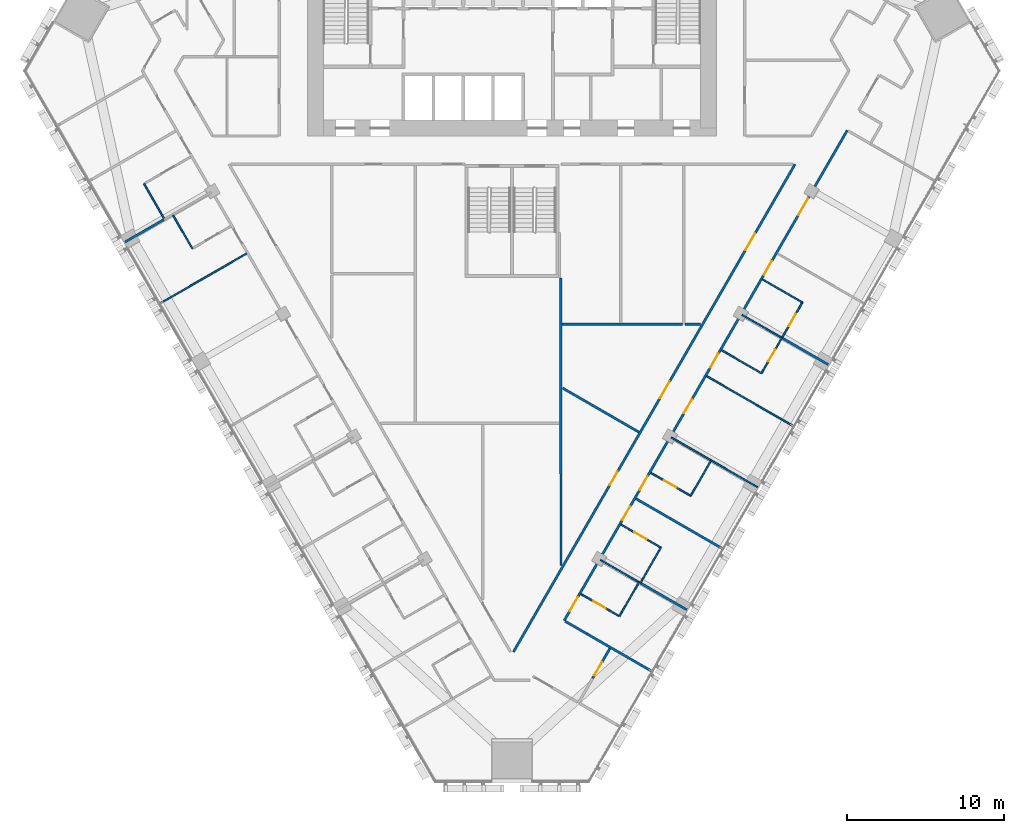
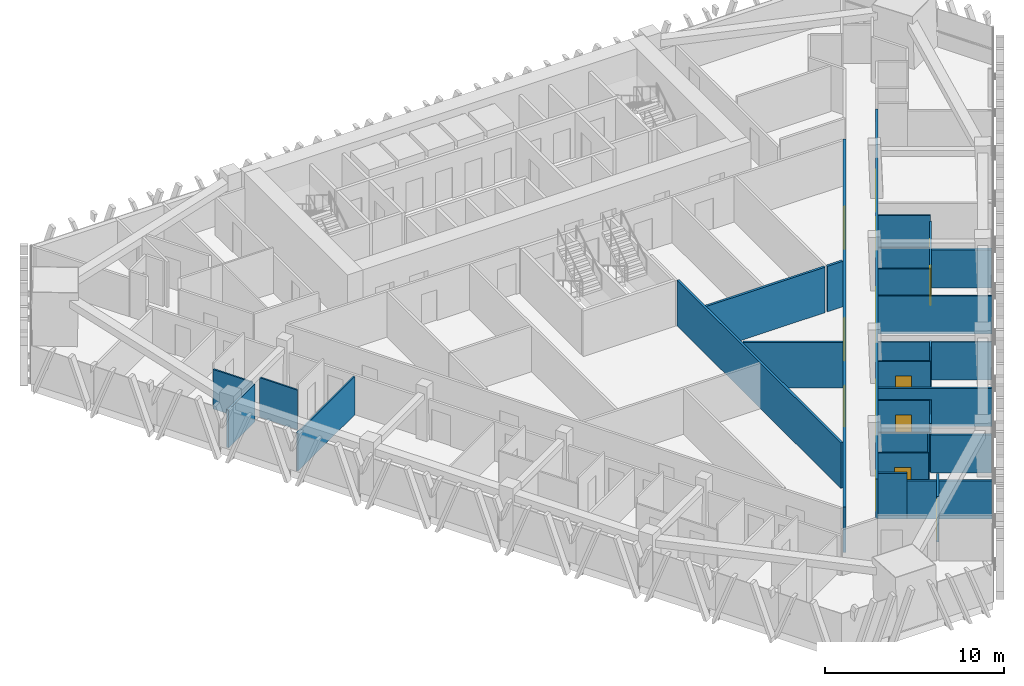
# One storey, part 11 of 18: 30 walls, 16 doors, 16 openings.
"""IFC4 building model written with IfcOpenShell, lengths in metres."""

import ifcopenshell
import ifcopenshell.guid

model = None  # the IFC model being written
_history = None  # IfcOwnerHistory: only IFC2X3 demands one
_inside = {}  # id of a spatial element -> (the spatial element, [elements in it])
_under = {}  # id of a project, library or spatial element -> (it, [spatial elements below it])
_declared = {}  # id of a project -> (the project, [libraries it declares])
_typed = {}  # id of a type object -> (the type object, [elements of that type])
_made_of = {}  # id of a material, layer set ... -> (it, [elements and type objects made of it])


def new_model(schema):
    """Start an empty IFC model of exactly this schema.

    Asked for "IFC4X3", IfcOpenShell would pick the latest addendum, in which some entities
    have other attributes; the version numbers below select the first issue.
    IFC2X3 requires an IfcOwnerHistory on every rooted entity: one is made here for all.
    """
    global model, _history
    if schema == "IFC4X3":
        model = ifcopenshell.file(schema_version=(4, 3, 0, 0))
    else:
        model = ifcopenshell.file(schema=schema)
    _inside.clear()
    _under.clear()
    _declared.clear()
    _typed.clear()
    _made_of.clear()
    _history = None
    if model.schema == "IFC2X3":
        org = make("IfcOrganization", Name="unknown")
        user = make(
            "IfcPersonAndOrganization",
            ThePerson=make("IfcPerson", FamilyName="unknown"),
            TheOrganization=org,
        )
        app = make(
            "IfcApplication",
            ApplicationDeveloper=org,
            Version="unknown",
            ApplicationFullName="unknown",
            ApplicationIdentifier="unknown",
        )
        _history = make(
            "IfcOwnerHistory",
            OwningUser=user,
            OwningApplication=app,
            ChangeAction="ADDED",
            CreationDate=0,
        )
    return model


def make(cls, **values):
    """One entity of the class cls with the attributes given. An attribute that is None is left unset."""
    return model.create_entity(
        cls, **{name: value for name, value in values.items() if value is not None}
    )


def rooted(cls, **values):
    """An entity with a GlobalId (a new one), such as an element, a storey or a relation."""
    return make(cls, GlobalId=ifcopenshell.guid.new(), OwnerHistory=_history, **values)


def si_unit(unit_type, name, prefix=None):
    """IfcSIUnit, for example si_unit("LENGTHUNIT", "METRE", prefix="MILLI")."""
    return make("IfcSIUnit", UnitType=unit_type, Prefix=prefix, Name=name)


def assignment(units):
    """IfcUnitAssignment: the units of a project."""
    return None if units is None else make("IfcUnitAssignment", Units=units)


def point(xyz):
    """IfcCartesianPoint."""
    return None if xyz is None else make("IfcCartesianPoint", Coordinates=xyz)


def direction(xyz):
    """IfcDirection."""
    return None if xyz is None else make("IfcDirection", DirectionRatios=xyz)


def frame(location, z_axis=None, x_axis=None):
    """IfcAxis2Placement3D, a coordinate frame: its origin and axes. An axis left out is left unset."""
    return make(
        "IfcAxis2Placement3D",
        Location=point(location),
        Axis=direction(z_axis),
        RefDirection=direction(x_axis),
    )


def frame_2d(location, x_axis=None):
    """IfcAxis2Placement2D, a coordinate frame in the plane: its origin and x axis."""
    return make(
        "IfcAxis2Placement2D", Location=point(location), RefDirection=direction(x_axis)
    )


def origin():
    """The frame at (0, 0, 0) with its axes left unset."""
    return frame((0.0, 0.0, 0.0))


def place(relative_to, where):
    """IfcLocalPlacement: puts the frame where relative to a parent placement (None: the world)."""
    return make(
        "IfcLocalPlacement", PlacementRelTo=relative_to, RelativePlacement=where
    )


def context(
    kind, dimensions, precision=None, world=None, true_north=None, identifier=None
):
    """IfcGeometricRepresentationContext, for example the 3D "Model" context."""
    return make(
        "IfcGeometricRepresentationContext",
        ContextIdentifier=identifier,
        ContextType=kind,
        CoordinateSpaceDimension=dimensions,
        Precision=precision,
        WorldCoordinateSystem=world,
        TrueNorth=true_north,
    )


def subcontext(parent, identifier, kind, view, scale=None):
    """IfcGeometricRepresentationSubContext, for example "Body" below "Model"."""
    return make(
        "IfcGeometricRepresentationSubContext",
        ContextIdentifier=identifier,
        ContextType=kind,
        ParentContext=parent,
        TargetScale=scale,
        TargetView=view,
    )


def project(units=None, contexts=None):
    """IfcProject with its units and contexts."""
    return rooted(
        "IfcProject",
        Name="project",
        RepresentationContexts=contexts,
        UnitsInContext=assignment(units),
    )


def spatial(cls, under=None, at=None, **own):
    """A site, building, storey or space (cls), placed at a placement, below another one or the project."""
    s = rooted(cls, ObjectPlacement=at, **own)
    if under is not None:
        _under.setdefault(under.id(), (under, []))[1].append(s)
    return s


def profile(cls, at=None, kind="AREA", **sizes):
    """A parametric profile (cls). Its sizes go by their IFC names, for example OverallWidth=200.0."""
    return make(cls, ProfileType=kind, Position=at, **sizes)


def rectangle(**sizes):
    """IfcRectangleProfileDef."""
    return profile("IfcRectangleProfileDef", **sizes)


def extrude(swept, where, along, depth):
    """IfcExtrudedAreaSolid: the profile swept, set in the frame where, extruded along a direction by depth."""
    return make(
        "IfcExtrudedAreaSolid",
        SweptArea=swept,
        Position=where,
        ExtrudedDirection=direction(along),
        Depth=depth,
    )


def shape(context_of_items, identifier, shape_type, items):
    """IfcShapeRepresentation: the items that make up one representation, for example the "Body"."""
    return make(
        "IfcShapeRepresentation",
        ContextOfItems=context_of_items,
        RepresentationIdentifier=identifier,
        RepresentationType=shape_type,
        Items=items,
    )


def material(Name=None, Category=None):
    """IfcMaterial."""
    return make("IfcMaterial", Name=Name, Category=Category)


def layer(
    of_material, thickness, ventilated=None, Name=None, Category=None, Priority=None
):
    """IfcMaterialLayer: one layer of a wall or slab, of a material (None: an air gap)."""
    return make(
        "IfcMaterialLayer",
        Material=of_material,
        LayerThickness=thickness,
        IsVentilated=ventilated,
        Name=Name,
        Category=Category,
        Priority=Priority,
    )


def layer_set(layers, Name=None):
    """IfcMaterialLayerSet."""
    return make("IfcMaterialLayerSet", MaterialLayers=layers, LayerSetName=Name)


def made_of(thing, what):
    """Note that an element or type object is made of a material, layer set ...; save() writes the relation."""
    if what is not None:
        _made_of.setdefault(what.id(), (what, []))[1].append(thing)
    return thing


def type_object(cls, material=None, **own):
    """A type object (cls), such as IfcWallType, which elements share."""
    return made_of(rooted(cls, **own), material)


def element(
    cls,
    number,
    at=None,
    inside=None,
    cuts=None,
    type_object=None,
    material=None,
    context=None,
    identifier="Body",
    shape_type=None,
    held_by="IfcProductDefinitionShape",
    body=None,
    shapes=None,
    **own,
):
    """One element of the class cls, such as IfcWall. Its Tag is "e" and its number.

    at: its placement. inside: the storey or other place that contains it. cuts: it is an
    opening in that element (IfcRelVoidsElement). A single representation is given by context,
    identifier, shape_type and body (its items); several are given by shapes. held_by: the class
    of the entity that holds the representations. save() writes the other relations.
    """
    e = rooted(cls, Tag="e%d" % number, ObjectPlacement=at, **own)
    if body is not None:
        shapes = [shape(context, identifier, shape_type, body)]
    if shapes is not None:
        e.Representation = make(held_by, Representations=shapes)
    if inside is not None:
        _inside.setdefault(inside.id(), (inside, []))[1].append(e)
    if cuts is not None:
        rooted(
            "IfcRelVoidsElement", RelatingBuildingElement=cuts, RelatedOpeningElement=e
        )
    if type_object is not None:
        _typed.setdefault(type_object.id(), (type_object, []))[1].append(e)
    return made_of(e, material)


def fill(opening, filler):
    """IfcRelFillsElement: the door or window that sits in an opening."""
    return rooted(
        "IfcRelFillsElement",
        RelatingOpeningElement=opening,
        RelatedBuildingElement=filler,
    )


def aggregate(whole, parts):
    """IfcRelAggregates: a whole, such as a stair, and the parts it consists of."""
    return rooted("IfcRelAggregates", RelatingObject=whole, RelatedObjects=parts)


def save(model, path):
    """Write the relations noted so far, then the file.

    IfcRelAggregates (storeys below a building ...), IfcRelContainedInSpatialStructure (elements
    in a storey), IfcRelDefinesByType, IfcRelAssociatesMaterial and IfcRelDeclares: one each for
    every whole, place, type object, material and project.
    """
    for whole, parts in _under.values():
        aggregate(whole, parts)
    for where, things in _inside.values():
        rooted(
            "IfcRelContainedInSpatialStructure",
            RelatedElements=things,
            RelatingStructure=where,
        )
    for kind, things in _typed.values():
        rooted("IfcRelDefinesByType", RelatedObjects=things, RelatingType=kind)
    for what, things in _made_of.values():
        rooted("IfcRelAssociatesMaterial", RelatedObjects=things, RelatingMaterial=what)
    for by, libraries in _declared.values():
        rooted("IfcRelDeclares", RelatingContext=by, RelatedDefinitions=libraries)
    model.write(path)


model = new_model("IFC4")

# Units and contexts
model_context = context("Model", 3, precision=1e-05, world=origin(), true_north=direction((0.0, 1.0)))
body_context = subcontext(model_context, "Body", "Model", "MODEL_VIEW")
ifc_project = project(units=[si_unit("LENGTHUNIT", "METRE"), si_unit("AREAUNIT", "SQUARE_METRE"), si_unit("VOLUMEUNIT", "CUBIC_METRE"), si_unit("PLANEANGLEUNIT", "RADIAN"), si_unit("MASSUNIT", "GRAM", prefix="KILO")], contexts=[model_context])

# Site, building, storey
site_placement = place(None, origin())
site = spatial("IfcSite", under=ifc_project, at=site_placement, CompositionType="ELEMENT")
building_placement = place(site_placement, origin())
building = spatial("IfcBuilding", under=site, at=building_placement, Name="Altiplano Prism Tower", CompositionType="ELEMENT")
storey_placement = place(building_placement, frame((0.0, 0.0, 37.800048828125)))
storey = spatial("IfcBuildingStorey", under=building, at=storey_placement, Name="L08", CompositionType="ELEMENT", Elevation=37.800048828125)

# Walls
ifc_material_1 = material(Name="Plasterboard on steel stud", Category="steel")
ifc_layer_1 = layer(ifc_material_1, 0.10009765625)
ifc_layer_set_1 = layer_set([ifc_layer_1], Name="Plasterboard on steel stud")
wall_type_1 = type_object("IfcWallType", Name="Partition 100 unit", PredefinedType="PARTITIONING", material=ifc_layer_set_1)
wall_1_placement = place(storey_placement, frame((62.864013671875, 87.171875, 0.0), z_axis=(0.0, 0.0, 1.0), x_axis=(-0.499976333282, 0.866039067339, 0.0)))
element("IfcWall", 1, at=wall_1_placement, inside=storey, type_object=wall_type_1, Name="Partition P02 L08 052", PredefinedType="PARTITIONING", context=body_context, shape_type="SweptSolid", body=[
    extrude(rectangle(XDim=2.52490234375, YDim=0.10009765625, at=frame_2d((1.262451171875, 0.0))), origin(), (0.0, 0.0, 1.0), 2.699951171875),
])
wall_2_placement = place(storey_placement, frame((64.671142578125, 85.241943359375, 0.0), z_axis=(0.0, 0.0, 1.0), x_axis=(-0.500018594424, 0.866014668023, 0.0)))
element("IfcWall", 2, at=wall_2_placement, inside=storey, type_object=wall_type_1, Name="Partition P02 L08 057", PredefinedType="PARTITIONING", context=body_context, shape_type="SweptSolid", body=[
    extrude(rectangle(XDim=2.4501953125, YDim=0.10009765625, at=frame_2d((1.22509765625, 0.0))), origin(), (0.0, 0.0, 1.0), 2.699951171875),
])
wall_3_placement = place(storey_placement, frame((93.078857421875, 64.0244140625, 0.0), z_axis=(0.0, 0.0, 1.0), x_axis=(-0.499961950354, -0.866047370643, 0.0)))
element("IfcWall", 3, at=wall_3_placement, inside=storey, type_object=wall_type_1, Name="Partition P02 L08 081", PredefinedType="PARTITIONING", context=body_context, shape_type="SweptSolid", body=[
    extrude(rectangle(XDim=2.500244140625, YDim=0.10009765625, at=frame_2d((1.25, 0.0))), origin(), (0.0, 0.0, 1.0), 2.699951171875),
])

# Wall, opening, door
wall_4_placement = place(storey_placement, frame((91.828857421875, 61.859130859375, 0.0), z_axis=(0.0, 0.0, 1.0), x_axis=(-0.866011447264, 0.500024172624, 0.0)))
wall_4 = element("IfcWall", 4, at=wall_4_placement, inside=storey, type_object=wall_type_1, Name="Partition P02 L08 082", PredefinedType="PARTITIONING", context=body_context, shape_type="SweptSolid", body=[
    extrude(rectangle(XDim=2.824951171875, YDim=0.10009765625, at=frame_2d((1.41259765625, 0.0))), origin(), (0.0, 0.0, 1.0), 3.099853515625),
])
opening_1_placement = place(wall_4_placement, frame((1.0, 0.0, 0.0)))
opening_1 = element("IfcOpeningElement", 5, at=opening_1_placement, cuts=wall_4, Name="Opening D0297", PredefinedType="OPENING", context=body_context, shape_type="SweptSolid", body=[
    extrude(rectangle(XDim=0.89990234375, YDim=2.10009765625, at=frame_2d((0.449951171875, 1.050048828125))), frame((0.0, 0.060546875, 0.0), z_axis=(0.0, -1.0, 0.0), x_axis=(1.0, 0.0, 0.0)), (0.0, 0.0, 1.0), 0.12109375),
])
ifc_material_2 = material(Name="Timber", Category="wood")
door_type_1 = type_object("IfcDoorType", Name="Ensuite door 900 x 2100", OperationType="NOTDEFINED", PredefinedType="NOTDEFINED", material=ifc_material_2)
door_1_placement = place(opening_1_placement, origin())
door_1 = element("IfcDoor", 6, at=door_1_placement, inside=storey, type_object=door_type_1, Name="Door D0297", OperationType="SINGLE_SWING_LEFT", OverallHeight=2.10009765625, OverallWidth=0.89990234375, PredefinedType="NOTDEFINED", context=body_context, shape_type="SweptSolid", body=[
    extrude(rectangle(XDim=0.89990234375, YDim=2.10009765625, at=frame_2d((0.449951171875, 1.050048828125))), frame((0.0, 0.02490234375, 0.0), z_axis=(0.0, -1.0, 0.0), x_axis=(1.0, 0.0, 0.0)), (0.0, 0.0, 1.0), 0.050048828125),
])
fill(opening_1, door_1)

wall_5_placement = place(storey_placement, frame((91.932373046875, 67.6884765625, 0.0), z_axis=(0.0, 0.0, 1.0), x_axis=(0.866046596414, -0.499963291492, 0.0)))
wall_5 = element("IfcWall", 7, at=wall_5_placement, inside=storey, type_object=wall_type_1, Name="Partition P02 L08 085", PredefinedType="PARTITIONING", context=body_context, shape_type="SweptSolid", body=[
    extrude(rectangle(XDim=2.925048828125, YDim=0.10009765625, at=frame_2d((1.46240234375, 0.0))), origin(), (0.0, 0.0, 1.0), 3.099853515625),
])
opening_2_placement = place(wall_5_placement, frame((0.97509765625, 0.0, 0.0)))
opening_2 = element("IfcOpeningElement", 8, at=opening_2_placement, cuts=wall_5, Name="Opening D0299", PredefinedType="OPENING", context=body_context, shape_type="SweptSolid", body=[
    extrude(rectangle(XDim=0.89990234375, YDim=2.10009765625, at=frame_2d((0.449951171875, 1.050048828125))), frame((0.0, 0.060546875, 0.0), z_axis=(0.0, -1.0, 0.0), x_axis=(1.0, 0.0, 0.0)), (0.0, 0.0, 1.0), 0.12109375),
])
door_2_placement = place(opening_2_placement, origin())
door_2 = element("IfcDoor", 9, at=door_2_placement, inside=storey, type_object=door_type_1, Name="Door D0299", OperationType="SINGLE_SWING_RIGHT", OverallHeight=2.10009765625, OverallWidth=0.89990234375, PredefinedType="NOTDEFINED", context=body_context, shape_type="SweptSolid", body=[
    extrude(rectangle(XDim=0.89990234375, YDim=2.10009765625, at=frame_2d((0.449951171875, 1.050048828125))), frame((0.0, 0.02490234375, 0.0), z_axis=(0.0, -1.0, 0.0), x_axis=(1.0, 0.0, 0.0)), (0.0, 0.0, 1.0), 0.050048828125),
])
fill(opening_2, door_2)

# Walls
wall_6_placement = place(storey_placement, frame((94.465576171875, 66.22607421875, 0.0), z_axis=(0.0, 0.0, 1.0), x_axis=(-0.500031774688, -0.866007057882, 0.0)))
element("IfcWall", 10, at=wall_6_placement, inside=storey, type_object=wall_type_1, Name="Partition P02 L08 086", PredefinedType="PARTITIONING", context=body_context, shape_type="SweptSolid", body=[
    extrude(rectangle(XDim=2.300048828125, YDim=0.10009765625, at=frame_2d((1.14990234375, 0.0))), origin(), (0.0, 0.0, 1.0), 3.099853515625),
])
wall_7_placement = place(storey_placement, frame((93.3154296875, 64.234130859375, 0.0), z_axis=(0.0, 0.0, 1.0), x_axis=(-0.499816412211, -0.866131372301, 0.0)))
element("IfcWall", 11, at=wall_7_placement, inside=storey, type_object=wall_type_1, Name="Partition P02 L08 087", PredefinedType="PARTITIONING", context=body_context, shape_type="SweptSolid", body=[
    extrude(rectangle(XDim=0.2998046875, YDim=0.10009765625, at=frame_2d((0.14990234375, 0.0))), origin(), (0.0, 0.0, 1.0), 2.699951171875),
])
wall_8_placement = place(storey_placement, frame((97.640380859375, 71.725341796875, 0.0), z_axis=(0.0, 0.0, 1.0), x_axis=(-0.499948979701, -0.866054858364, 0.0)))
element("IfcWall", 12, at=wall_8_placement, inside=storey, type_object=wall_type_1, Name="Partition P02 L08 089", PredefinedType="PARTITIONING", context=body_context, shape_type="SweptSolid", body=[
    extrude(rectangle(XDim=2.550048828125, YDim=0.10009765625, at=frame_2d((1.27490234375, 0.0))), origin(), (0.0, 0.0, 1.0), 2.699951171875),
])

# Wall, opening, door
wall_9_placement = place(storey_placement, frame((96.365478515625, 69.516845703125, 0.0), z_axis=(0.0, 0.0, 1.0), x_axis=(-0.866046596414, 0.499963291492, 0.0)))
wall_9 = element("IfcWall", 13, at=wall_9_placement, inside=storey, type_object=wall_type_1, Name="Partition P02 L08 090", PredefinedType="PARTITIONING", context=body_context, shape_type="SweptSolid", body=[
    extrude(rectangle(XDim=2.925048828125, YDim=0.10009765625, at=frame_2d((1.46240234375, 0.0))), origin(), (0.0, 0.0, 1.0), 3.099853515625),
])
opening_3_placement = place(wall_9_placement, frame((1.050048828125, 0.0, 0.0)))
opening_3 = element("IfcOpeningElement", 14, at=opening_3_placement, cuts=wall_9, Name="Opening D0301", PredefinedType="OPENING", context=body_context, shape_type="SweptSolid", body=[
    extrude(rectangle(XDim=0.89990234375, YDim=2.10009765625, at=frame_2d((0.449951171875, 1.050048828125))), frame((0.0, 0.060546875, 0.0), z_axis=(0.0, -1.0, 0.0), x_axis=(1.0, 0.0, 0.0)), (0.0, 0.0, 1.0), 0.12109375),
])
door_3_placement = place(opening_3_placement, origin())
door_3 = element("IfcDoor", 15, at=door_3_placement, inside=storey, type_object=door_type_1, Name="Door D0301", OperationType="SINGLE_SWING_RIGHT", OverallHeight=2.10009765625, OverallWidth=0.89990234375, PredefinedType="NOTDEFINED", context=body_context, shape_type="SweptSolid", body=[
    extrude(rectangle(XDim=0.89990234375, YDim=2.10009765625, at=frame_2d((0.449951171875, 1.050048828125))), frame((0.0, 0.02490234375, 0.0), z_axis=(0.0, -1.0, 0.0), x_axis=(1.0, 0.0, 0.0)), (0.0, 0.0, 1.0), 0.050048828125),
])
fill(opening_3, door_3)

# Walls
for number, where, z_axis, x_axis, name in (
    (16, (100.865478515625, 77.31103515625, 0.0), (0.0, 0.0, 1.0), (-0.86601045545, 0.500025890382, 0.0), "Partition P02 L08 093"),
    (17, (100.932373046875, 83.27685546875, 0.0), (0.0, 0.0, 1.0), (0.866046596414, -0.499963291492, 0.0), "Partition P02 L08 096"),
):
    element("IfcWall", number, at=place(storey_placement, frame(where, z_axis=z_axis, x_axis=x_axis)), inside=storey, type_object=wall_type_1, Name=name, PredefinedType="PARTITIONING", context=body_context, shape_type="SweptSolid", body=[
        extrude(rectangle(XDim=2.925048828125, YDim=0.10009765625, at=frame_2d((1.46240234375, 0.0))), origin(), (0.0, 0.0, 1.0), 3.099853515625),
    ])

# Wall, openings, doors
wall_10_placement = place(storey_placement, frame((103.465576171875, 81.814453125, 0.0), z_axis=(0.0, 0.0, 1.0), x_axis=(-0.500006934395, -0.866021400173, 0.0)))
wall_10 = element("IfcWall", 18, at=wall_10_placement, inside=storey, type_object=wall_type_1, Name="Partition P02 L08 097", PredefinedType="PARTITIONING", context=body_context, shape_type="SweptSolid", body=[
    extrude(rectangle(XDim=5.2001953125, YDim=0.10009765625, at=frame_2d((2.60009765625, 0.0))), origin(), (0.0, 0.0, 1.0), 2.699951171875),
])
opening_4_placement = place(wall_10_placement, frame((3.449951171875, 0.0, 0.0)))
opening_4 = element("IfcOpeningElement", 19, at=opening_4_placement, cuts=wall_10, Name="Opening D0304", PredefinedType="OPENING", context=body_context, shape_type="SweptSolid", body=[
    extrude(rectangle(XDim=0.89990234375, YDim=2.10009765625, at=frame_2d((0.449951171875, 1.050048828125))), frame((0.0, 0.060546875, 0.0), z_axis=(0.0, -1.0, 0.0), x_axis=(1.0, 0.0, 0.0)), (0.0, 0.0, 1.0), 0.12109375),
])
opening_5_placement = place(wall_10_placement, frame((0.85009765625, 0.0, 0.0)))
opening_5 = element("IfcOpeningElement", 20, at=opening_5_placement, cuts=wall_10, Name="Opening D0306", PredefinedType="OPENING", context=body_context, shape_type="SweptSolid", body=[
    extrude(rectangle(XDim=0.89990234375, YDim=2.10009765625, at=frame_2d((0.449951171875, 1.050048828125))), frame((0.0, 0.060546875, 0.0), z_axis=(0.0, -1.0, 0.0), x_axis=(1.0, 0.0, 0.0)), (0.0, 0.0, 1.0), 0.12109375),
])
door_4_placement = place(opening_4_placement, origin())
door_4 = element("IfcDoor", 21, at=door_4_placement, inside=storey, type_object=door_type_1, Name="Door D0304", OperationType="SINGLE_SWING_LEFT", OverallHeight=2.10009765625, OverallWidth=0.89990234375, PredefinedType="NOTDEFINED", context=body_context, shape_type="SweptSolid", body=[
    extrude(rectangle(XDim=0.89990234375, YDim=2.10009765625, at=frame_2d((0.449951171875, 1.050048828125))), frame((0.0, 0.02490234375, 0.0), z_axis=(0.0, -1.0, 0.0), x_axis=(1.0, 0.0, 0.0)), (0.0, 0.0, 1.0), 0.050048828125),
])
fill(opening_4, door_4)
door_5_placement = place(opening_5_placement, origin())
door_5 = element("IfcDoor", 22, at=door_5_placement, inside=storey, type_object=door_type_1, Name="Door D0306", OperationType="SINGLE_SWING_RIGHT", OverallHeight=2.10009765625, OverallWidth=0.89990234375, PredefinedType="NOTDEFINED", context=body_context, shape_type="SweptSolid", body=[
    extrude(rectangle(XDim=0.89990234375, YDim=2.10009765625, at=frame_2d((0.449951171875, 1.050048828125))), frame((0.0, 0.02490234375, 0.0), z_axis=(0.0, -1.0, 0.0), x_axis=(1.0, 0.0, 0.0)), (0.0, 0.0, 1.0), 0.050048828125),
])
fill(opening_5, door_5)

# Walls
ifc_layer_2 = layer(ifc_material_1, 0.10009765625)
ifc_layer_set_2 = layer_set([ifc_layer_2], Name="Plasterboard on steel stud")
wall_type_2 = type_object("IfcWallType", Name="Partition 100 wet", PredefinedType="PARTITIONING", material=ifc_layer_set_2)
wall_11_placement = place(storey_placement, frame((62.62255859375, 81.749755859375, 0.0), z_axis=(0.0, 0.0, 1.0), x_axis=(0.866025401434, 0.500000004071, 0.0)))
element("IfcWall", 23, at=wall_11_placement, inside=storey, type_object=wall_type_2, Name="Partition P03 L08 058", PredefinedType="PARTITIONING", context=body_context, shape_type="SweptSolid", body=[
    extrude(rectangle(XDim=6.34521484375, YDim=0.10009765625, at=frame_2d((3.172607421875, 0.0))), origin(), (0.0, 0.0, 1.0), 2.599853515625),
])
wall_12_placement = place(storey_placement, frame((93.09619140625, 64.014404296875, 0.0), z_axis=(0.0, 0.0, 1.0), x_axis=(-0.866048401274, 0.499960165064, 0.0)))
element("IfcWall", 24, at=wall_12_placement, inside=storey, type_object=wall_type_2, Name="Partition P03 L08 084", PredefinedType="PARTITIONING", context=body_context, shape_type="SweptSolid", body=[
    extrude(rectangle(XDim=2.844970703125, YDim=0.10009765625, at=frame_2d((1.42236328125, 0.0))), origin(), (0.0, 0.0, 1.0), 2.699951171875),
])
wall_13_placement = place(storey_placement, frame((100.60986328125, 70.068603515625, 0.0), z_axis=(0.0, 0.0, 1.0), x_axis=(-0.866032601554, 0.49998753289, 0.0)))
element("IfcWall", 25, at=wall_13_placement, inside=storey, type_object=wall_type_2, Name="Partition P03 L08 091", PredefinedType="PARTITIONING", context=body_context, shape_type="SweptSolid", body=[
    extrude(rectangle(XDim=6.324951171875, YDim=0.10009765625, at=frame_2d((3.16259765625, 0.0))), origin(), (0.0, 0.0, 1.0), 2.599853515625),
])
wall_14_placement = place(storey_placement, frame((102.87744140625, 73.95556640625, 0.0), z_axis=(0.0, 0.0, 1.0), x_axis=(-0.866025401434, 0.500000004071, 0.0)))
element("IfcWall", 26, at=wall_14_placement, inside=storey, type_object=wall_type_2, Name="Partition P03 L08 092", PredefinedType="PARTITIONING", context=body_context, shape_type="SweptSolid", body=[
    extrude(rectangle(XDim=6.34521484375, YDim=0.10009765625, at=frame_2d((3.172607421875, 0.0))), origin(), (0.0, 0.0, 1.0), 2.599853515625),
])
wall_15_placement = place(storey_placement, frame((102.1220703125, 79.587646484375, 0.0), z_axis=(0.0, 0.0, 1.0), x_axis=(-0.866018712932, 0.500011588718, 0.0)))
element("IfcWall", 27, at=wall_15_placement, inside=storey, type_object=wall_type_2, Name="Partition P03 L08 095", PredefinedType="PARTITIONING", context=body_context, shape_type="SweptSolid", body=[
    extrude(rectangle(XDim=2.875, YDim=0.10009765625, at=frame_2d((1.4375, 0.0))), origin(), (0.0, 0.0, 1.0), 2.699951171875),
])

# Wall, opening, door
ifc_layer_3 = layer(ifc_material_1, 0.14990234375)
ifc_layer_set_3 = layer_set([ifc_layer_3], Name="Plasterboard on steel stud")
wall_type_3 = type_object("IfcWallType", Name="Partition 150 corridor", PredefinedType="PARTITIONING", material=ifc_layer_set_3)
wall_16_placement = place(storey_placement, frame((90.128173828125, 57.913330078125, 0.0), z_axis=(0.0, 0.0, 1.0), x_axis=(0.499947354807, 0.866055796367, 0.0)))
wall_16 = element("IfcWall", 28, at=wall_16_placement, inside=storey, type_object=wall_type_3, Name="Partition P06 L08 019", PredefinedType="PARTITIONING", context=body_context, shape_type="SweptSolid", body=[
    extrude(rectangle(XDim=2.192626953125, YDim=0.14990234375, at=frame_2d((1.09619140625, 0.0))), origin(), (0.0, 0.0, 1.0), 3.099853515625),
])
opening_6_placement = place(wall_16_placement, frame((0.199951171875, 0.0, 0.0)))
opening_6 = element("IfcOpeningElement", 29, at=opening_6_placement, cuts=wall_16, Name="Opening D0295", PredefinedType="OPENING", context=body_context, shape_type="SweptSolid", body=[
    extrude(rectangle(XDim=1.0, YDim=2.10009765625, at=frame_2d((0.5, 1.050048828125))), frame((0.0, 0.08544921875, 0.0), z_axis=(0.0, -1.0, 0.0), x_axis=(1.0, 0.0, 0.0)), (0.0, 0.0, 1.0), 0.1708984375),
])
door_type_2 = type_object("IfcDoorType", Name="Room door 1000 x 2100", OperationType="NOTDEFINED", PredefinedType="NOTDEFINED", material=ifc_material_2)
door_6_placement = place(opening_6_placement, origin())
door_6 = element("IfcDoor", 30, at=door_6_placement, inside=storey, type_object=door_type_2, Name="Door D0295", OperationType="SINGLE_SWING_RIGHT", OverallHeight=2.10009765625, OverallWidth=1.0, PredefinedType="NOTDEFINED", context=body_context, shape_type="SweptSolid", body=[
    extrude(rectangle(XDim=1.0, YDim=2.10009765625, at=frame_2d((0.5, 1.050048828125))), frame((0.0, 0.02490234375, 0.0), z_axis=(0.0, -1.0, 0.0), x_axis=(1.0, 0.0, 0.0)), (0.0, 0.0, 1.0), 0.050048828125),
])
fill(opening_6, door_6)

# Wall
wall_17_placement = place(storey_placement, frame((89.772216796875, 60.737060546875, 0.0), z_axis=(0.0, 0.0, 1.0), x_axis=(-0.865949984366, 0.500130607517, 0.0)))
element("IfcWall", 31, at=wall_17_placement, inside=storey, type_object=wall_type_3, Name="Partition P06 L08 020", PredefinedType="PARTITIONING", context=body_context, shape_type="SweptSolid", body=[
    extrude(rectangle(XDim=1.60498046875, YDim=0.14990234375, at=frame_2d((0.802490234375, 0.0))), origin(), (0.0, 0.0, 1.0), 3.099853515625),
])

# Wall, openings, doors
wall_18_placement = place(storey_placement, frame((88.3173828125, 61.5771484375, 0.0), z_axis=(0.0, 0.0, 1.0), x_axis=(0.49999894854, 0.866026010844, 0.0)))
wall_18 = element("IfcWall", 32, at=wall_18_placement, inside=storey, type_object=wall_type_3, Name="Partition P06 L08 021", PredefinedType="PARTITIONING", context=body_context, shape_type="SweptSolid", body=[
    extrude(rectangle(XDim=36.0, YDim=0.14990234375, at=frame_2d((18.0, 0.0))), origin(), (0.0, 0.0, 1.0), 2.699951171875),
])
opening_7_placement = place(wall_18_placement, frame((0.719970703125, 0.0, 0.0)))
opening_7 = element("IfcOpeningElement", 33, at=opening_7_placement, cuts=wall_18, Name="Opening D0296", PredefinedType="OPENING", context=body_context, shape_type="SweptSolid", body=[
    extrude(rectangle(XDim=1.0, YDim=2.10009765625, at=frame_2d((0.5, 1.050048828125))), frame((0.0, 0.08544921875, 0.0), z_axis=(0.0, -1.0, 0.0), x_axis=(1.0, 0.0, 0.0)), (0.0, 0.0, 1.0), 0.1708984375),
])
opening_8_placement = place(wall_18_placement, frame((7.39501953125, 0.0, 0.0)))
opening_8 = element("IfcOpeningElement", 34, at=opening_8_placement, cuts=wall_18, Name="Opening D0298", PredefinedType="OPENING", context=body_context, shape_type="SweptSolid", body=[
    extrude(rectangle(XDim=1.0, YDim=2.10009765625, at=frame_2d((0.5, 1.050048828125))), frame((0.0, 0.08544921875, 0.0), z_axis=(0.0, -1.0, 0.0), x_axis=(1.0, 0.0, 0.0)), (0.0, 0.0, 1.0), 0.1708984375),
])
opening_9_placement = place(wall_18_placement, frame((9.60498046875, 0.0, 0.0)))
opening_9 = element("IfcOpeningElement", 35, at=opening_9_placement, cuts=wall_18, Name="Opening D0300", PredefinedType="OPENING", context=body_context, shape_type="SweptSolid", body=[
    extrude(rectangle(XDim=1.0, YDim=2.10009765625, at=frame_2d((0.5, 1.050048828125))), frame((0.0, 0.08544921875, 0.0), z_axis=(0.0, -1.0, 0.0), x_axis=(1.0, 0.0, 0.0)), (0.0, 0.0, 1.0), 0.1708984375),
])
opening_10_placement = place(wall_18_placement, frame((15.25, 0.0, 0.0)))
opening_10 = element("IfcOpeningElement", 36, at=opening_10_placement, cuts=wall_18, Name="Opening D0302", PredefinedType="OPENING", context=body_context, shape_type="SweptSolid", body=[
    extrude(rectangle(XDim=1.0, YDim=2.10009765625, at=frame_2d((0.5, 1.050048828125))), frame((0.0, 0.08544921875, 0.0), z_axis=(0.0, -1.0, 0.0), x_axis=(1.0, 0.0, 0.0)), (0.0, 0.0, 1.0), 0.1708984375),
])
opening_11_placement = place(wall_18_placement, frame((18.60498046875, 0.0, 0.0)))
opening_11 = element("IfcOpeningElement", 37, at=opening_11_placement, cuts=wall_18, Name="Opening D0303", PredefinedType="OPENING", context=body_context, shape_type="SweptSolid", body=[
    extrude(rectangle(XDim=1.0, YDim=2.10009765625, at=frame_2d((0.5, 1.050048828125))), frame((0.0, 0.08544921875, 0.0), z_axis=(0.0, -1.0, 0.0), x_axis=(1.0, 0.0, 0.0)), (0.0, 0.0, 1.0), 0.1708984375),
])
opening_12_placement = place(wall_18_placement, frame((25.39501953125, 0.0, 0.0)))
opening_12 = element("IfcOpeningElement", 38, at=opening_12_placement, cuts=wall_18, Name="Opening D0305", PredefinedType="OPENING", context=body_context, shape_type="SweptSolid", body=[
    extrude(rectangle(XDim=1.0, YDim=2.10009765625, at=frame_2d((0.5, 1.050048828125))), frame((0.0, 0.08544921875, 0.0), z_axis=(0.0, -1.0, 0.0), x_axis=(1.0, 0.0, 0.0)), (0.0, 0.0, 1.0), 0.1708984375),
])
opening_13_placement = place(wall_18_placement, frame((29.800048828125, 0.0, 0.0)))
opening_13 = element("IfcOpeningElement", 39, at=opening_13_placement, cuts=wall_18, Name="Opening D0307", PredefinedType="OPENING", context=body_context, shape_type="SweptSolid", body=[
    extrude(rectangle(XDim=1.199951171875, YDim=2.10009765625, at=frame_2d((0.60009765625, 1.050048828125))), frame((0.0, 0.08544921875, 0.0), z_axis=(0.0, -1.0, 0.0), x_axis=(1.0, 0.0, 0.0)), (0.0, 0.0, 1.0), 0.1708984375),
])
door_type_3 = type_object("IfcDoorType", Name="Bedroom entrance door 1000 x 2100", OperationType="NOTDEFINED", PredefinedType="NOTDEFINED", material=ifc_material_2)
door_7_placement = place(opening_7_placement, origin())
door_7 = element("IfcDoor", 40, at=door_7_placement, inside=storey, type_object=door_type_3, Name="Door D0296", OperationType="SINGLE_SWING_LEFT", OverallHeight=2.10009765625, OverallWidth=1.0, PredefinedType="NOTDEFINED", context=body_context, shape_type="SweptSolid", body=[
    extrude(rectangle(XDim=1.0, YDim=2.10009765625, at=frame_2d((0.5, 1.050048828125))), frame((0.0, 0.02490234375, 0.0), z_axis=(0.0, -1.0, 0.0), x_axis=(1.0, 0.0, 0.0)), (0.0, 0.0, 1.0), 0.050048828125),
])
fill(opening_7, door_7)
door_8_placement = place(opening_8_placement, origin())
door_8 = element("IfcDoor", 41, at=door_8_placement, inside=storey, type_object=door_type_3, Name="Door D0298", OperationType="SINGLE_SWING_RIGHT", OverallHeight=2.10009765625, OverallWidth=1.0, PredefinedType="NOTDEFINED", context=body_context, shape_type="SweptSolid", body=[
    extrude(rectangle(XDim=1.0, YDim=2.10009765625, at=frame_2d((0.5, 1.050048828125))), frame((0.0, 0.02490234375, 0.0), z_axis=(0.0, -1.0, 0.0), x_axis=(1.0, 0.0, 0.0)), (0.0, 0.0, 1.0), 0.050048828125),
])
fill(opening_8, door_8)
door_9_placement = place(opening_9_placement, origin())
door_9 = element("IfcDoor", 42, at=door_9_placement, inside=storey, type_object=door_type_3, Name="Door D0300", OperationType="SINGLE_SWING_RIGHT", OverallHeight=2.10009765625, OverallWidth=1.0, PredefinedType="NOTDEFINED", context=body_context, shape_type="SweptSolid", body=[
    extrude(rectangle(XDim=1.0, YDim=2.10009765625, at=frame_2d((0.5, 1.050048828125))), frame((0.0, 0.02490234375, 0.0), z_axis=(0.0, -1.0, 0.0), x_axis=(1.0, 0.0, 0.0)), (0.0, 0.0, 1.0), 0.050048828125),
])
fill(opening_9, door_9)
door_10_placement = place(opening_11_placement, origin())
door_10 = element("IfcDoor", 43, at=door_10_placement, inside=storey, type_object=door_type_3, Name="Door D0303", OperationType="SINGLE_SWING_LEFT", OverallHeight=2.10009765625, OverallWidth=1.0, PredefinedType="NOTDEFINED", context=body_context, shape_type="SweptSolid", body=[
    extrude(rectangle(XDim=1.0, YDim=2.10009765625, at=frame_2d((0.5, 1.050048828125))), frame((0.0, 0.02490234375, 0.0), z_axis=(0.0, -1.0, 0.0), x_axis=(1.0, 0.0, 0.0)), (0.0, 0.0, 1.0), 0.050048828125),
])
fill(opening_11, door_10)
door_11_placement = place(opening_12_placement, origin())
door_11 = element("IfcDoor", 44, at=door_11_placement, inside=storey, type_object=door_type_3, Name="Door D0305", OperationType="SINGLE_SWING_LEFT", OverallHeight=2.10009765625, OverallWidth=1.0, PredefinedType="NOTDEFINED", context=body_context, shape_type="SweptSolid", body=[
    extrude(rectangle(XDim=1.0, YDim=2.10009765625, at=frame_2d((0.5, 1.050048828125))), frame((0.0, 0.02490234375, 0.0), z_axis=(0.0, -1.0, 0.0), x_axis=(1.0, 0.0, 0.0)), (0.0, 0.0, 1.0), 0.050048828125),
])
fill(opening_12, door_11)
door_12_placement = place(opening_10_placement, origin())
door_12 = element("IfcDoor", 45, at=door_12_placement, inside=storey, type_object=door_type_2, Name="Door D0302", OperationType="SINGLE_SWING_RIGHT", OverallHeight=2.10009765625, OverallWidth=1.0, PredefinedType="NOTDEFINED", context=body_context, shape_type="SweptSolid", body=[
    extrude(rectangle(XDim=1.0, YDim=2.10009765625, at=frame_2d((0.5, 1.050048828125))), frame((0.0, 0.02490234375, 0.0), z_axis=(0.0, -1.0, 0.0), x_axis=(1.0, 0.0, 0.0)), (0.0, 0.0, 1.0), 0.050048828125),
])
fill(opening_10, door_12)
door_type_4 = type_object("IfcDoorType", Name="Shared room door 1200 x 2100", OperationType="NOTDEFINED", PredefinedType="NOTDEFINED", material=ifc_material_2)
door_13_placement = place(opening_13_placement, origin())
door_13 = element("IfcDoor", 46, at=door_13_placement, inside=storey, type_object=door_type_4, Name="Door D0307", OperationType="SINGLE_SWING_RIGHT", OverallHeight=2.10009765625, OverallWidth=1.199951171875, PredefinedType="NOTDEFINED", context=body_context, shape_type="SweptSolid", body=[
    extrude(rectangle(XDim=1.199951171875, YDim=2.10009765625, at=frame_2d((0.60009765625, 1.050048828125))), frame((0.0, 0.02490234375, 0.0), z_axis=(0.0, -1.0, 0.0), x_axis=(1.0, 0.0, 0.0)), (0.0, 0.0, 1.0), 0.050048828125),
])
fill(opening_13, door_13)

wall_19_placement = place(storey_placement, frame((102.995361328125, 90.60009765625, 0.0), z_axis=(0.0, 0.0, 1.0), x_axis=(-0.500002425896, -0.866024003188, 0.0)))
wall_19 = element("IfcWall", 47, at=wall_19_placement, inside=storey, type_object=wall_type_3, Name="Partition P06 L08 038", PredefinedType="PARTITIONING", context=body_context, shape_type="SweptSolid", body=[
    extrude(rectangle(XDim=35.804443359375, YDim=0.14990234375, at=frame_2d((17.90234375, 0.0))), origin(), (0.0, 0.0, 1.0), 3.099853515625),
])
opening_14_placement = place(wall_19_placement, frame((5.094970703125, 0.0, 0.0)))
opening_14 = element("IfcOpeningElement", 48, at=opening_14_placement, cuts=wall_19, Name="Opening D0313", PredefinedType="OPENING", context=body_context, shape_type="SweptSolid", body=[
    extrude(rectangle(XDim=1.199951171875, YDim=2.10009765625, at=frame_2d((0.60009765625, 1.050048828125))), frame((0.0, 0.08544921875, 0.0), z_axis=(0.0, -1.0, 0.0), x_axis=(1.0, 0.0, 0.0)), (0.0, 0.0, 1.0), 0.1708984375),
])
opening_15_placement = place(wall_19_placement, frame((15.949951171875, 0.0, 0.0)))
opening_15 = element("IfcOpeningElement", 49, at=opening_15_placement, cuts=wall_19, Name="Opening D0314", PredefinedType="OPENING", context=body_context, shape_type="SweptSolid", body=[
    extrude(rectangle(XDim=1.199951171875, YDim=2.10009765625, at=frame_2d((0.60009765625, 1.050048828125))), frame((0.0, 0.08544921875, 0.0), z_axis=(0.0, -1.0, 0.0), x_axis=(1.0, 0.0, 0.0)), (0.0, 0.0, 1.0), 0.1708984375),
])
opening_16_placement = place(wall_19_placement, frame((22.56396484375, 0.0, 0.0)))
opening_16 = element("IfcOpeningElement", 50, at=opening_16_placement, cuts=wall_19, Name="Opening D0320", PredefinedType="OPENING", context=body_context, shape_type="SweptSolid", body=[
    extrude(rectangle(XDim=1.0, YDim=2.10009765625, at=frame_2d((0.5, 1.050048828125))), frame((0.0, 0.08544921875, 0.0), z_axis=(0.0, -1.0, 0.0), x_axis=(1.0, 0.0, 0.0)), (0.0, 0.0, 1.0), 0.1708984375),
])
door_14_placement = place(opening_14_placement, origin())
door_14 = element("IfcDoor", 51, at=door_14_placement, inside=storey, type_object=door_type_4, Name="Door D0313", OperationType="SINGLE_SWING_LEFT", OverallHeight=2.10009765625, OverallWidth=1.199951171875, PredefinedType="NOTDEFINED", context=body_context, shape_type="SweptSolid", body=[
    extrude(rectangle(XDim=1.199951171875, YDim=2.10009765625, at=frame_2d((0.60009765625, 1.050048828125))), frame((0.0, 0.02490234375, 0.0), z_axis=(0.0, -1.0, 0.0), x_axis=(1.0, 0.0, 0.0)), (0.0, 0.0, 1.0), 0.050048828125),
])
fill(opening_14, door_14)
door_15_placement = place(opening_15_placement, origin())
door_15 = element("IfcDoor", 52, at=door_15_placement, inside=storey, type_object=door_type_4, Name="Door D0314", OperationType="SINGLE_SWING_RIGHT", OverallHeight=2.10009765625, OverallWidth=1.199951171875, PredefinedType="NOTDEFINED", context=body_context, shape_type="SweptSolid", body=[
    extrude(rectangle(XDim=1.199951171875, YDim=2.10009765625, at=frame_2d((0.60009765625, 1.050048828125))), frame((0.0, 0.02490234375, 0.0), z_axis=(0.0, -1.0, 0.0), x_axis=(1.0, 0.0, 0.0)), (0.0, 0.0, 1.0), 0.050048828125),
])
fill(opening_15, door_15)
door_type_5 = type_object("IfcDoorType", Name="Store door 1000 x 2100", OperationType="NOTDEFINED", PredefinedType="NOTDEFINED", material=ifc_material_2)
door_16_placement = place(opening_16_placement, origin())
door_16 = element("IfcDoor", 53, at=door_16_placement, inside=storey, type_object=door_type_5, Name="Door D0320", OperationType="SINGLE_SWING_RIGHT", OverallHeight=2.10009765625, OverallWidth=1.0, PredefinedType="NOTDEFINED", context=body_context, shape_type="SweptSolid", body=[
    extrude(rectangle(XDim=1.0, YDim=2.10009765625, at=frame_2d((0.5, 1.050048828125))), frame((0.0, 0.02490234375, 0.0), z_axis=(0.0, -1.0, 0.0), x_axis=(1.0, 0.0, 0.0)), (0.0, 0.0, 1.0), 0.050048828125),
])
fill(opening_16, door_16)

# Walls
wall_20_placement = place(storey_placement, frame((93.87744140625, 58.3671875, 0.0), z_axis=(0.0, 0.0, 1.0), x_axis=(-0.866050933658, 0.499955778354, 0.0)))
element("IfcWall", 54, at=wall_20_placement, inside=storey, type_object=wall_type_3, Name="Partition P06 L08 080", PredefinedType="PARTITIONING", context=body_context, shape_type="SweptSolid", body=[
    extrude(rectangle(XDim=4.740234375, YDim=0.14990234375, at=frame_2d((2.3701171875, 0.0))), origin(), (0.0, 0.0, 1.0), 2.599853515625),
])
ifc_layer_4 = layer(ifc_material_1, 0.14990234375)
ifc_layer_set_4 = layer_set([ifc_layer_4], Name="Plasterboard on steel stud")
wall_type_4 = type_object("IfcWallType", Name="Partition 150 party", PredefinedType="PARTITIONING", material=ifc_layer_set_4)
wall_21_placement = place(storey_placement, frame((60.39013671875, 85.656982421875, 0.0), z_axis=(0.0, 0.0, 1.0), x_axis=(0.866032430508, 0.49998782916, 0.0)))
element("IfcWall", 55, at=wall_21_placement, inside=storey, type_object=wall_type_4, Name="Partition P01 L08 054", PredefinedType="PARTITIONING", context=body_context, shape_type="SweptSolid", body=[
    extrude(rectangle(XDim=2.919921875, YDim=0.14990234375, at=frame_2d((1.4599609375, 0.0))), origin(), (0.0, 0.0, 1.0), 2.599853515625),
])
wall_22_placement = place(storey_placement, frame((96.10986328125, 62.2744140625, 0.0), z_axis=(0.0, 0.0, 1.0), x_axis=(-0.866020560687, 0.500008388397, 0.0)))
element("IfcWall", 56, at=wall_22_placement, inside=storey, type_object=wall_type_4, Name="Partition P01 L08 083", PredefinedType="PARTITIONING", context=body_context, shape_type="SweptSolid", body=[
    extrude(rectangle(XDim=3.39990234375, YDim=0.14990234375, at=frame_2d((1.699951171875, 0.0))), origin(), (0.0, 0.0, 1.0), 2.599853515625),
])
wall_23_placement = place(storey_placement, frame((98.37744140625, 66.161376953125, 0.0), z_axis=(0.0, 0.0, 1.0), x_axis=(-0.866025401434, 0.500000004071, 0.0)))
element("IfcWall", 57, at=wall_23_placement, inside=storey, type_object=wall_type_4, Name="Partition P01 L08 088", PredefinedType="PARTITIONING", context=body_context, shape_type="SweptSolid", body=[
    extrude(rectangle(XDim=6.34521484375, YDim=0.14990234375, at=frame_2d((3.172607421875, 0.0))), origin(), (0.0, 0.0, 1.0), 2.599853515625),
])
wall_24_placement = place(storey_placement, frame((105.10986328125, 77.86279296875, 0.0), z_axis=(0.0, 0.0, 1.0), x_axis=(-0.866014461049, 0.500018952895, 0.0)))
element("IfcWall", 58, at=wall_24_placement, inside=storey, type_object=wall_type_4, Name="Partition P01 L08 094", PredefinedType="PARTITIONING", context=body_context, shape_type="SweptSolid", body=[
    extrude(rectangle(XDim=3.349853515625, YDim=0.14990234375, at=frame_2d((1.6748046875, 0.0))), origin(), (0.0, 0.0, 1.0), 2.599853515625),
])
wall_25_placement = place(storey_placement, frame((88.11181640625, 65.10107421875, 0.0), z_axis=(0.0, 0.0, 1.0), x_axis=(-8.0138907e-05, 0.999999996789, 0.0)))
element("IfcWall", 59, at=wall_25_placement, inside=storey, type_object=wall_type_4, Name="Partition P01 L08 107", PredefinedType="PARTITIONING", context=body_context, shape_type="SweptSolid", body=[
    extrude(rectangle(XDim=18.27880859375, YDim=0.14990234375, at=frame_2d((9.139404296875, 0.0))), origin(), (0.0, 0.0, 1.0), 3.099853515625),
])
wall_26_placement = place(storey_placement, frame((95.989013671875, 80.43115234375, 0.0), z_axis=(0.0, 0.0, 1.0), x_axis=(1.0, 0.0, 0.0)))
element("IfcWall", 60, at=wall_26_placement, inside=storey, type_object=wall_type_4, Name="Partition P01 L08 110", PredefinedType="PARTITIONING", context=body_context, shape_type="SweptSolid", body=[
    extrude(rectangle(XDim=1.00537109375, YDim=0.14990234375, at=frame_2d((0.502685546875, 0.0))), origin(), (0.0, 0.0, 1.0), 3.099853515625),
])
wall_27_placement = place(storey_placement, frame((95.839111328125, 80.43115234375, 0.0), z_axis=(0.0, 0.0, 1.0), x_axis=(-1.0, 0.0, 0.0)))
element("IfcWall", 61, at=wall_27_placement, inside=storey, type_object=wall_type_4, Name="Partition P01 L08 112", PredefinedType="PARTITIONING", context=body_context, shape_type="SweptSolid", body=[
    extrude(rectangle(XDim=7.653564453125, YDim=0.14990234375, at=frame_2d((3.82666015625, 0.0))), origin(), (0.0, 0.0, 1.0), 3.099853515625),
])
wall_28_placement = place(storey_placement, frame((88.223388671875, 76.365966796875, 0.0), z_axis=(0.0, 0.0, 1.0), x_axis=(0.866010639187, -0.500025572161, 0.0)))
element("IfcWall", 62, at=wall_28_placement, inside=storey, type_object=wall_type_4, Name="Partition P01 L08 113", PredefinedType="PARTITIONING", context=body_context, shape_type="SweptSolid", body=[
    extrude(rectangle(XDim=5.600830078125, YDim=0.14990234375, at=frame_2d((2.80029296875, 0.0))), origin(), (0.0, 0.0, 1.0), 3.099853515625),
])

save(model, "model.ifc")
